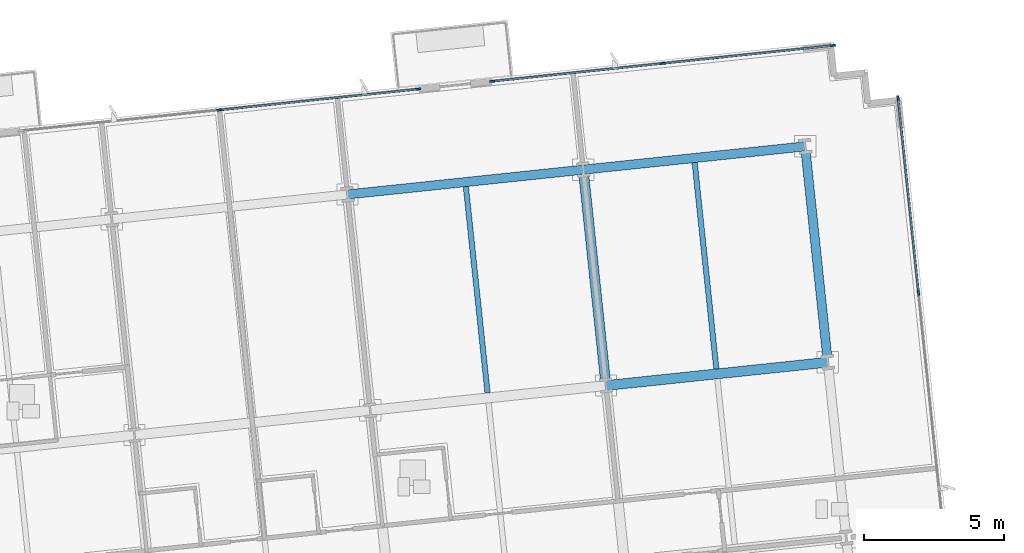
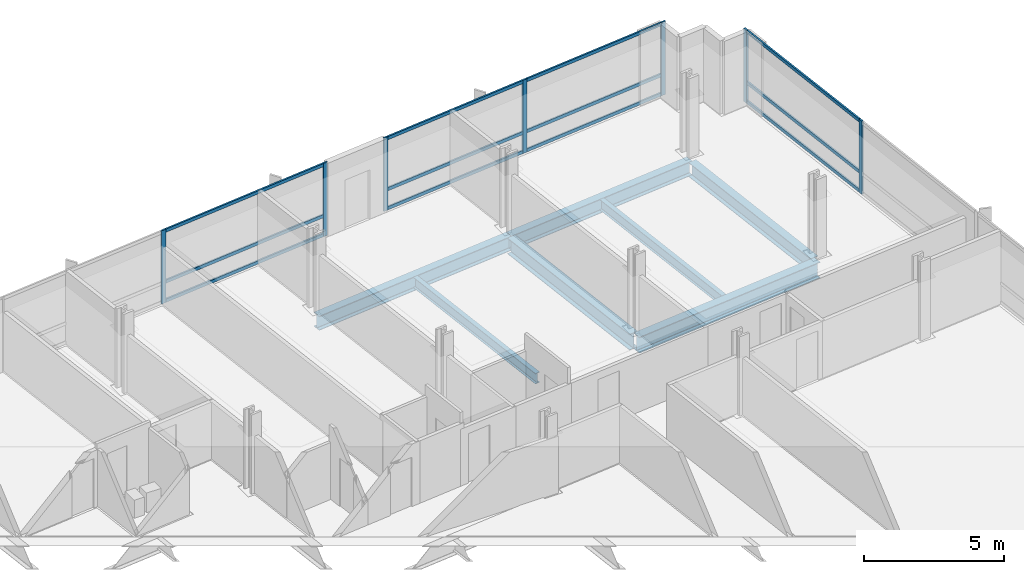
# One storey, part 8 of 17: 19 members, 7 beams, 3 elements without a shape of their own.
"""IFC4 building model written with IfcOpenShell, lengths in metres."""

from ifc_helpers import new_model, si_unit, direction, frame, origin, origin_2d, place, context, subcontext, project, spatial, rectangle, i_section, extrude, material, material_profile, profile_set, type_object, element, aggregate, save


model = new_model("IFC4")

# Units and contexts
model_context = context("Model", 3, precision=1e-05, world=origin(), true_north=direction((0.0, 1.0)))
body_context = subcontext(model_context, "Body", "Model", "MODEL_VIEW")
ifc_project = project(units=[si_unit("LENGTHUNIT", "METRE"), si_unit("AREAUNIT", "SQUARE_METRE"), si_unit("VOLUMEUNIT", "CUBIC_METRE"), si_unit("PLANEANGLEUNIT", "RADIAN"), si_unit("MASSUNIT", "GRAM", prefix="KILO")], contexts=[model_context])

# Site, building, storey
site_placement = place(None, origin())
site = spatial("IfcSite", under=ifc_project, at=site_placement, CompositionType="ELEMENT")
building_placement = place(site_placement, origin())
building = spatial("IfcBuilding", under=site, at=building_placement, Name="Solmavex Isthmus Hotel", CompositionType="ELEMENT")
storey_placement = place(building_placement, frame((0.0, 0.0, 90.449951171875)))
storey = spatial("IfcBuildingStorey", under=building, at=storey_placement, Name="L24", CompositionType="ELEMENT", Elevation=90.449951171875)

# Beams
ifc_material_1 = material(Name="Steel ASTM A992 Grade 50", Category="steel")
ifc_material_profile_1 = material_profile(ifc_material_1, i_section(OverallWidth=0.354736328125, OverallDepth=0.695556640625, WebThickness=0.015380859375, FlangeThickness=0.02490234375, FilletRadius=0.017822265625, at=origin_2d()), Name="W27X146")
ifc_profile_set_1 = profile_set([ifc_material_profile_1], Name="Steel ASTM A992 Grade 50")
beam_type_1 = type_object("IfcBeamType", Name="BM-BG-W27X146", PredefinedType="BEAM", material=ifc_profile_set_1)
beam_1_placement = place(storey_placement, frame((20.5615234375, 11.921875, -0.607666015625), z_axis=(0.994523402738, 0.104514120609, 0.0), x_axis=(-0.104514120609, 0.994523402738, 0.0)))
element("IfcBeam", 1, at=beam_1_placement, inside=storey, type_object=beam_type_1, Name="Floor Girder L24-UG18", PredefinedType="BEAM", context=body_context, shape_type="SweptSolid", body=[
    extrude(i_section(OverallWidth=0.354736328125, OverallDepth=0.695556640625, WebThickness=0.015380859375, FlangeThickness=0.02490234375, FilletRadius=0.017822265625, at=origin_2d()), origin(), (0.0, 0.0, 1.0), 7.968017578125),
])
beam_2_placement = place(storey_placement, frame((20.54296875, 12.098388671875, -0.607666015625), z_axis=(-0.1045578893, 0.994518802128, 0.0), x_axis=(-0.994518802128, -0.1045578893, 0.0)))
element("IfcBeam", 2, at=beam_2_placement, inside=storey, type_object=beam_type_1, Name="Floor Beam L24-VG45", PredefinedType="BEAM", context=body_context, shape_type="SweptSolid", body=[
    extrude(i_section(OverallWidth=0.354736328125, OverallDepth=0.695556640625, WebThickness=0.015380859375, FlangeThickness=0.02490234375, FilletRadius=0.017822265625, at=origin_2d()), origin(), (0.0, 0.0, 1.0), 7.4111328125),
])
ifc_material_profile_2 = material_profile(ifc_material_1, i_section(OverallWidth=0.1904296875, OverallDepth=0.456787109375, WebThickness=0.009033203125, FlangeThickness=0.014404296875, FilletRadius=0.0126953125, at=origin_2d()), Name="W18X50")
ifc_profile_set_2 = profile_set([ifc_material_profile_2], Name="Steel ASTM A992 Grade 50")
beam_type_2 = type_object("IfcBeamType", Name="BM-BJ-W18X50", PredefinedType="JOIST", material=ifc_profile_set_2)
for number, where, z_axis, x_axis, name in (
    (3, (16.3330078125, 11.65576171875, -0.48828125), (-0.10452188296, 0.994522586964, 0.0), (-0.994522586964, -0.10452188296, 0.0), "Secondary Floor Joist L24-J18"),
    (4, (24.505126953125, 12.5146484375, -0.48828125), (-0.10452188296, 0.994522586964, 0.0), (-0.994522586964, -0.10452188296, 0.0), "Secondary Floor Joist L24-J21"),
):
    element("IfcBeam", number, at=place(storey_placement, frame(where, z_axis=z_axis, x_axis=x_axis)), inside=storey, type_object=beam_type_2, Name=name, PredefinedType="JOIST", context=body_context, shape_type="SweptSolid", body=[
        extrude(i_section(OverallWidth=0.1904296875, OverallDepth=0.456787109375, WebThickness=0.009033203125, FlangeThickness=0.014404296875, FilletRadius=0.0126953125, at=origin_2d()), origin(), (0.0, 0.0, 1.0), 7.411376953125),
    ])
ifc_material_profile_3 = material_profile(ifc_material_1, i_section(OverallWidth=0.326416015625, OverallDepth=0.621826171875, WebThickness=0.015380859375, FlangeThickness=0.0244140625, FilletRadius=0.01513671875, at=origin_2d()), Name="W24X131")
ifc_profile_set_3 = profile_set([ifc_material_profile_3], Name="Steel ASTM A992 Grade 50")
beam_type_3 = type_object("IfcBeamType", Name="BM-SP-W24X131", PredefinedType="SPANDREL", material=ifc_profile_set_3)
beam_3_placement = place(storey_placement, frame((11.33154296875, 18.74658203125, -0.57080078125), z_axis=(0.994524082861, 0.104507648572, 0.0), x_axis=(-0.104507648572, 0.994524082861, 0.0)))
element("IfcBeam", 5, at=beam_3_placement, inside=storey, type_object=beam_type_3, Name="Floor Girder L24-UG23", PredefinedType="SPANDREL", context=body_context, shape_type="SweptSolid", body=[
    extrude(i_section(OverallWidth=0.326416015625, OverallDepth=0.621826171875, WebThickness=0.015380859375, FlangeThickness=0.0244140625, FilletRadius=0.01513671875, at=origin_2d()), origin(), (0.0, 0.0, 1.0), 8.466064453125),
])
beam_4_placement = place(storey_placement, frame((19.751220703125, 19.63134765625, -0.57080078125), z_axis=(0.994520217478, 0.10454442609, 0.0), x_axis=(-0.10454442609, 0.994520217478, 0.0)))
element("IfcBeam", 6, at=beam_4_placement, inside=storey, type_object=beam_type_3, Name="Floor Girder L24-UG24", PredefinedType="SPANDREL", context=body_context, shape_type="SweptSolid", body=[
    extrude(i_section(OverallWidth=0.326416015625, OverallDepth=0.621826171875, WebThickness=0.015380859375, FlangeThickness=0.0244140625, FilletRadius=0.01513671875, at=origin_2d()), origin(), (0.0, 0.0, 1.0), 7.968017578125),
])
beam_5_placement = place(storey_placement, frame((28.46728515625, 12.93115234375, -0.57080078125), z_axis=(-0.10452188296, 0.994522586964, 0.0), x_axis=(-0.994522586964, -0.10452188296, 0.0)))
element("IfcBeam", 7, at=beam_5_placement, inside=storey, type_object=beam_type_3, Name="Floor Beam L24-VG48", PredefinedType="SPANDREL", context=body_context, shape_type="SweptSolid", body=[
    extrude(i_section(OverallWidth=0.326416015625, OverallDepth=0.621826171875, WebThickness=0.015380859375, FlangeThickness=0.0244140625, FilletRadius=0.01513671875, at=origin_2d()), origin(), (0.0, 0.0, 1.0), 7.411376953125),
])

# Curtain wall, members
ifc_material_2 = material(Name="Aluminium alloy 6063-T6", Category="aluminium")
curtain_wall_type = type_object("IfcCurtainWallType", Name="CW-SYS-03", PredefinedType="NOTDEFINED", material=ifc_material_2)
curtain_wall_1_placement = place(storey_placement, origin())
curtain_wall_1 = element("IfcCurtainWall", 8, at=curtain_wall_1_placement, inside=storey, type_object=curtain_wall_type, Name="Stick Curtain Wall CWL-L24-N2", PredefinedType="NOTDEFINED")
ifc_material_profile_4 = material_profile(ifc_material_2, rectangle(XDim=0.070068359375, YDim=0.179931640625, at=origin_2d()), Name="CWM-70X180")
ifc_profile_set_4 = profile_set([ifc_material_profile_4], Name="Aluminium alloy 6063-T6")
member_type_1 = type_object("IfcMemberType", Name="CW-SYS-03-MUL", PredefinedType="MULLION", material=ifc_profile_set_4)
member_1_placement = place(storey_placement, frame((6.7578125, 21.764892578125, 0.0), z_axis=(0.0, 0.0, 1.0), x_axis=(-0.10452900389, 0.994521838546, 0.0)))
member_1 = element("IfcMember", 9, at=member_1_placement, type_object=member_type_1, Name="CW-03 mullion 2", PredefinedType="MULLION", context=body_context, shape_type="SweptSolid", body=[
    extrude(rectangle(XDim=0.070068359375, YDim=0.179931640625, at=origin_2d()), origin(), (0.0, 0.0, 1.0), 3.18994140625),
])
member_2_placement = place(storey_placement, frame((13.849853515625, 22.51025390625, 0.0), z_axis=(0.0, 0.0, 1.0), x_axis=(-0.10452900389, 0.994521838546, 0.0)))
member_2 = element("IfcMember", 10, at=member_2_placement, type_object=member_type_1, Name="CW-03 mullion 3", PredefinedType="MULLION", context=body_context, shape_type="SweptSolid", body=[
    extrude(rectangle(XDim=0.070068359375, YDim=0.179931640625, at=origin_2d()), origin(), (0.0, 0.0, 1.0), 3.18994140625),
])

curtain_wall_2_placement = place(storey_placement, origin())
curtain_wall_2 = element("IfcCurtainWall", 11, at=curtain_wall_2_placement, inside=storey, type_object=curtain_wall_type, Name="Stick Curtain Wall CWL-L24-N3", PredefinedType="NOTDEFINED")
member_3_placement = place(storey_placement, frame((16.505126953125, 22.789306640625, 0.0), z_axis=(0.0, 0.0, 1.0), x_axis=(-0.104528123665, 0.994521931062, 0.0)))
member_3 = element("IfcMember", 12, at=member_3_placement, type_object=member_type_1, Name="CW-03 mullion 1", PredefinedType="MULLION", context=body_context, shape_type="SweptSolid", body=[
    extrude(rectangle(XDim=0.070068359375, YDim=0.179931640625, at=origin_2d()), origin(), (0.0, 0.0, 1.0), 3.18994140625),
])
member_4_placement = place(storey_placement, frame((22.587158203125, 23.4287109375, 0.0), z_axis=(0.0, 0.0, 1.0), x_axis=(-0.104528123665, 0.994521931062, 0.0)))
member_4 = element("IfcMember", 13, at=member_4_placement, type_object=member_type_1, Name="CW-03 mullion 2", PredefinedType="MULLION", context=body_context, shape_type="SweptSolid", body=[
    extrude(rectangle(XDim=0.070068359375, YDim=0.179931640625, at=origin_2d()), origin(), (0.0, 0.0, 1.0), 3.18994140625),
])
member_5_placement = place(storey_placement, frame((28.669189453125, 24.06787109375, 0.0), z_axis=(0.0, 0.0, 1.0), x_axis=(-0.104528123665, 0.994521931062, 0.0)))
member_5 = element("IfcMember", 14, at=member_5_placement, type_object=member_type_1, Name="CW-03 mullion 3", PredefinedType="MULLION", context=body_context, shape_type="SweptSolid", body=[
    extrude(rectangle(XDim=0.070068359375, YDim=0.179931640625, at=origin_2d()), origin(), (0.0, 0.0, 1.0), 3.18994140625),
])

curtain_wall_3_placement = place(storey_placement, origin())
curtain_wall_3 = element("IfcCurtainWall", 15, at=curtain_wall_3_placement, inside=storey, type_object=curtain_wall_type, Name="Stick Curtain Wall CWL-L24-E1", PredefinedType="NOTDEFINED")
member_6_placement = place(storey_placement, frame((31.723876953125, 15.23876953125, 0.0), z_axis=(0.0, 0.0, 1.0), x_axis=(-0.994521893044, -0.104528485381, 0.0)))
member_6 = element("IfcMember", 16, at=member_6_placement, type_object=member_type_1, Name="CW-03 mullion 5", PredefinedType="MULLION", context=body_context, shape_type="SweptSolid", body=[
    extrude(rectangle(XDim=0.070068359375, YDim=0.179931640625, at=origin_2d()), origin(), (0.0, 0.0, 1.0), 3.18994140625),
])
member_7_placement = place(storey_placement, frame((30.99365234375, 22.185546875, 0.0), z_axis=(0.0, 0.0, 1.0), x_axis=(-0.994521893044, -0.104528485381, 0.0)))
member_7 = element("IfcMember", 17, at=member_7_placement, type_object=member_type_1, Name="CW-03 mullion 6", PredefinedType="MULLION", context=body_context, shape_type="SweptSolid", body=[
    extrude(rectangle(XDim=0.070068359375, YDim=0.179931640625, at=origin_2d()), origin(), (0.0, 0.0, 1.0), 3.18994140625),
])

# Member
ifc_material_profile_5 = material_profile(ifc_material_2, rectangle(XDim=0.070068359375, YDim=0.139892578125, at=origin_2d()), Name="CWT-70X140")
ifc_profile_set_5 = profile_set([ifc_material_profile_5], Name="Aluminium alloy 6063-T6")
member_type_2 = type_object("IfcMemberType", Name="CW-SYS-03-TRN", PredefinedType="USERDEFINED", material=ifc_profile_set_5)
member_8_placement = place(storey_placement, frame((6.792724609375, 21.7685546875, 0.070068359375), z_axis=(0.994522301958, 0.104524594751, 0.0), x_axis=(-0.104524594751, 0.994522301958, 0.0)))
member_8 = element("IfcMember", 18, at=member_8_placement, type_object=member_type_2, Name="CW-03 transom 2.1", ObjectType="TRANSOM", PredefinedType="USERDEFINED", context=body_context, shape_type="SweptSolid", body=[
    extrude(rectangle(XDim=0.070068359375, YDim=0.139892578125, at=origin_2d()), origin(), (0.0, 0.0, 1.0), 7.060791015625),
])

member_9_placement = place(storey_placement, frame((6.792724609375, 21.7685546875, 0.900146484375), z_axis=(0.994522301958, 0.104524594751, 0.0), x_axis=(-0.104524594751, 0.994522301958, 0.0)))
member_9 = element("IfcMember", 19, at=member_9_placement, type_object=member_type_2, Name="CW-03 transom 2.2", ObjectType="TRANSOM", PredefinedType="USERDEFINED", context=body_context, shape_type="SweptSolid", body=[
    extrude(rectangle(XDim=0.070068359375, YDim=0.139892578125, at=origin_2d()), origin(), (0.0, 0.0, 1.0), 7.060791015625),
])

member_10_placement = place(storey_placement, frame((6.792724609375, 21.7685546875, 3.1201171875), z_axis=(0.994522301958, 0.104524594751, 0.0), x_axis=(-0.104524594751, 0.994522301958, 0.0)))
member_10 = element("IfcMember", 20, at=member_10_placement, type_object=member_type_2, Name="CW-03 transom 2.3", ObjectType="TRANSOM", PredefinedType="USERDEFINED", context=body_context, shape_type="SweptSolid", body=[
    extrude(rectangle(XDim=0.070068359375, YDim=0.139892578125, at=origin_2d()), origin(), (0.0, 0.0, 1.0), 7.060791015625),
])

aggregate(curtain_wall_1, [member_1, member_2, member_8, member_9, member_10])

member_11_placement = place(storey_placement, frame((16.5400390625, 22.79296875, 0.070068359375), z_axis=(0.994519384638, 0.104552348513, 0.0), x_axis=(-0.104552348513, 0.994519384638, 0.0)))
member_11 = element("IfcMember", 21, at=member_11_placement, type_object=member_type_2, Name="CW-03 transom 1.1", ObjectType="TRANSOM", PredefinedType="USERDEFINED", context=body_context, shape_type="SweptSolid", body=[
    extrude(rectangle(XDim=0.070068359375, YDim=0.139892578125, at=origin_2d()), origin(), (0.0, 0.0, 1.0), 6.045654296875),
])

member_12_placement = place(storey_placement, frame((16.5400390625, 22.79296875, 0.900146484375), z_axis=(0.994519384638, 0.104552348513, 0.0), x_axis=(-0.104552348513, 0.994519384638, 0.0)))
member_12 = element("IfcMember", 22, at=member_12_placement, type_object=member_type_2, Name="CW-03 transom 1.2", ObjectType="TRANSOM", PredefinedType="USERDEFINED", context=body_context, shape_type="SweptSolid", body=[
    extrude(rectangle(XDim=0.070068359375, YDim=0.139892578125, at=origin_2d()), origin(), (0.0, 0.0, 1.0), 6.045654296875),
])

member_13_placement = place(storey_placement, frame((16.5400390625, 22.79296875, 3.1201171875), z_axis=(0.994519384638, 0.104552348513, 0.0), x_axis=(-0.104552348513, 0.994519384638, 0.0)))
member_13 = element("IfcMember", 23, at=member_13_placement, type_object=member_type_2, Name="CW-03 transom 1.3", ObjectType="TRANSOM", PredefinedType="USERDEFINED", context=body_context, shape_type="SweptSolid", body=[
    extrude(rectangle(XDim=0.070068359375, YDim=0.139892578125, at=origin_2d()), origin(), (0.0, 0.0, 1.0), 6.045654296875),
])

member_14_placement = place(storey_placement, frame((22.6220703125, 23.432373046875, 0.070068359375), z_axis=(0.994523582882, 0.104512406403, 0.0), x_axis=(-0.104512406403, 0.994523582882, 0.0)))
member_14 = element("IfcMember", 24, at=member_14_placement, type_object=member_type_2, Name="CW-03 transom 2.1", ObjectType="TRANSOM", PredefinedType="USERDEFINED", context=body_context, shape_type="SweptSolid", body=[
    extrude(rectangle(XDim=0.070068359375, YDim=0.139892578125, at=origin_2d()), origin(), (0.0, 0.0, 1.0), 6.045654296875),
])

member_15_placement = place(storey_placement, frame((22.6220703125, 23.432373046875, 0.900146484375), z_axis=(0.994523582882, 0.104512406403, 0.0), x_axis=(-0.104512406403, 0.994523582882, 0.0)))
member_15 = element("IfcMember", 25, at=member_15_placement, type_object=member_type_2, Name="CW-03 transom 2.2", ObjectType="TRANSOM", PredefinedType="USERDEFINED", context=body_context, shape_type="SweptSolid", body=[
    extrude(rectangle(XDim=0.070068359375, YDim=0.139892578125, at=origin_2d()), origin(), (0.0, 0.0, 1.0), 6.045654296875),
])

member_16_placement = place(storey_placement, frame((22.6220703125, 23.432373046875, 3.1201171875), z_axis=(0.994523582882, 0.104512406403, 0.0), x_axis=(-0.104512406403, 0.994523582882, 0.0)))
member_16 = element("IfcMember", 26, at=member_16_placement, type_object=member_type_2, Name="CW-03 transom 2.3", ObjectType="TRANSOM", PredefinedType="USERDEFINED", context=body_context, shape_type="SweptSolid", body=[
    extrude(rectangle(XDim=0.070068359375, YDim=0.139892578125, at=origin_2d()), origin(), (0.0, 0.0, 1.0), 6.045654296875),
])

aggregate(curtain_wall_2, [member_3, member_4, member_5, member_11, member_12, member_13, member_14, member_15, member_16])

member_17_placement = place(storey_placement, frame((31.72021484375, 15.273681640625, 0.070068359375), z_axis=(-0.104539595565, 0.994520725254, 0.0), x_axis=(-0.994520725254, -0.104539595565, 0.0)))
member_17 = element("IfcMember", 27, at=member_17_placement, type_object=member_type_2, Name="CW-03 transom 5.1", ObjectType="TRANSOM", PredefinedType="USERDEFINED", context=body_context, shape_type="SweptSolid", body=[
    extrude(rectangle(XDim=0.070068359375, YDim=0.139892578125, at=origin_2d()), origin(), (0.0, 0.0, 1.0), 6.9150390625),
])

member_18_placement = place(storey_placement, frame((31.72021484375, 15.273681640625, 0.900146484375), z_axis=(-0.104539595565, 0.994520725254, 0.0), x_axis=(-0.994520725254, -0.104539595565, 0.0)))
member_18 = element("IfcMember", 28, at=member_18_placement, type_object=member_type_2, Name="CW-03 transom 5.2", ObjectType="TRANSOM", PredefinedType="USERDEFINED", context=body_context, shape_type="SweptSolid", body=[
    extrude(rectangle(XDim=0.070068359375, YDim=0.139892578125, at=origin_2d()), origin(), (0.0, 0.0, 1.0), 6.9150390625),
])

member_19_placement = place(storey_placement, frame((31.72021484375, 15.273681640625, 3.1201171875), z_axis=(-0.104539595565, 0.994520725254, 0.0), x_axis=(-0.994520725254, -0.104539595565, 0.0)))
member_19 = element("IfcMember", 29, at=member_19_placement, type_object=member_type_2, Name="CW-03 transom 5.3", ObjectType="TRANSOM", PredefinedType="USERDEFINED", context=body_context, shape_type="SweptSolid", body=[
    extrude(rectangle(XDim=0.070068359375, YDim=0.139892578125, at=origin_2d()), origin(), (0.0, 0.0, 1.0), 6.9150390625),
])

aggregate(curtain_wall_3, [member_6, member_7, member_17, member_18, member_19])

save(model, "model.ifc")
